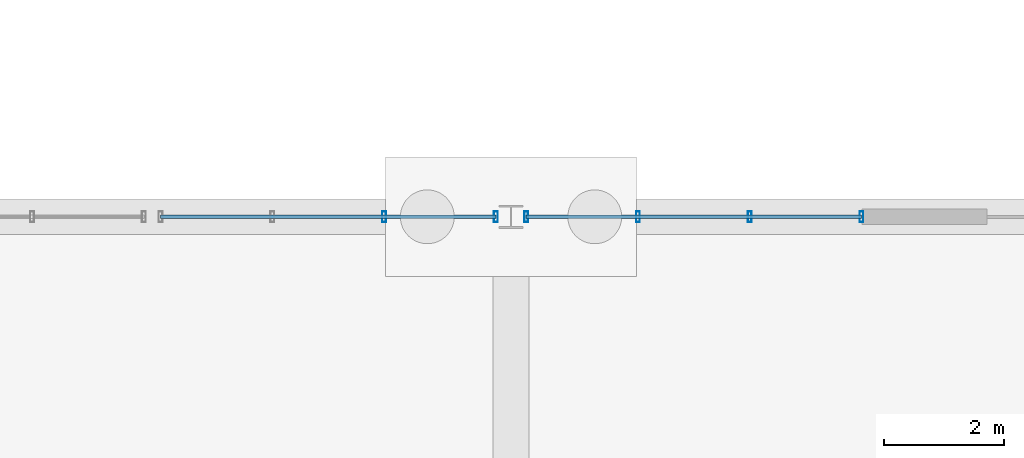
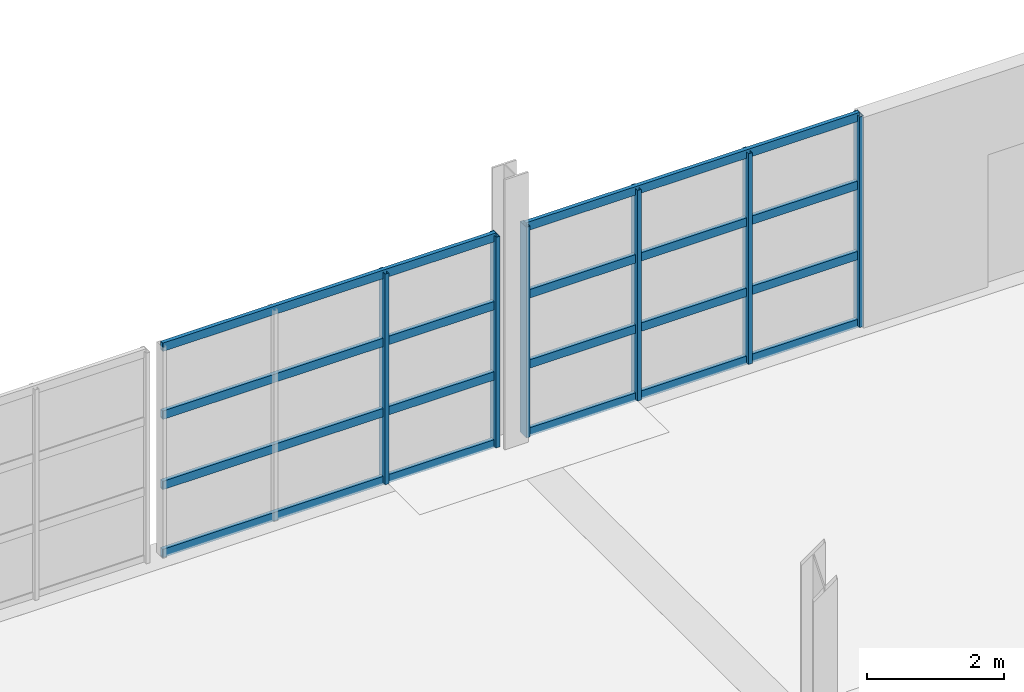
# One storey, part 29 of 82: 14 members, 2 elements without a shape of their own.
"""IFC4 building model written with IfcOpenShell, lengths in metres."""

from ifc_helpers import new_model, si_unit, direction, frame, origin, origin_2d, place, context, subcontext, project, spatial, hollow_rectangle, extrude, material, material_profile, profile_set, type_object, element, aggregate, save


model = new_model("IFC4")

# Units and contexts
model_context = context("Model", 3, precision=1e-05, world=origin(), true_north=direction((0.0, 1.0)))
body_context = subcontext(model_context, "Body", "Model", "MODEL_VIEW")
ifc_project = project(units=[si_unit("LENGTHUNIT", "METRE"), si_unit("AREAUNIT", "SQUARE_METRE"), si_unit("VOLUMEUNIT", "CUBIC_METRE"), si_unit("PLANEANGLEUNIT", "RADIAN"), si_unit("MASSUNIT", "GRAM", prefix="KILO")], contexts=[model_context])

# Site, building, storey
site_placement = place(None, origin())
site = spatial("IfcSite", under=ifc_project, at=site_placement, CompositionType="ELEMENT")
building_placement = place(site_placement, origin())
building = spatial("IfcBuilding", under=site, at=building_placement, Name="Kelmvaro Bay Concert Hall", CompositionType="ELEMENT")
storey_placement = place(building_placement, origin())
storey = spatial("IfcBuildingStorey", under=building, at=storey_placement, Name="L00", CompositionType="ELEMENT", Elevation=0.0)

# Curtain wall, members
ifc_material_1 = material(Name="Anodised Aluminium and Low-E Insulated Glazing", Category="aluminium")
curtain_wall_type = type_object("IfcCurtainWallType", Name="Foyer Ground Hurricane Curtain Wall 4400", PredefinedType="USERDEFINED", material=ifc_material_1)
curtain_wall_1_placement = place(storey_placement, origin())
curtain_wall_1 = element("IfcCurtainWall", 1, at=curtain_wall_1_placement, inside=storey, type_object=curtain_wall_type, Name="Unitised Curtain Wall CW-L00-051", ObjectType="UNITISED GLAZING", PredefinedType="USERDEFINED")
ifc_material_2 = material(Name="Anodised Extruded Aluminium 6063-T6", Category="aluminium")
ifc_material_profile_1 = material_profile(ifc_material_2, hollow_rectangle(XDim=0.06494140625, YDim=0.179931640625, WallThickness=0.00390625, at=origin_2d()), Name="ALU-MUL-180X65")
ifc_profile_set_1 = profile_set([ifc_material_profile_1], Name="Anodised Extruded Aluminium 6063-T6")
member_type_1 = type_object("IfcMemberType", Name="Curtain Mullion ALU 180x65", PredefinedType="MULLION", material=ifc_profile_set_1)
member_1_placement = place(storey_placement, frame((81.876953125, 39.0, 0.0), z_axis=(0.0, 0.0, 1.0), x_axis=(1.0, 0.0, 0.0)))
member_1 = element("IfcMember", 2, at=member_1_placement, type_object=member_type_1, Name="CW-L00-051 Mullion 03", PredefinedType="MULLION", context=body_context, shape_type="SweptSolid", body=[
    extrude(hollow_rectangle(XDim=0.06494140625, YDim=0.179931640625, WallThickness=0.00390625, at=origin_2d()), origin(), (0.0, 0.0, 1.0), 3.7470703125),
])
member_2_placement = place(storey_placement, frame((83.74560546875, 39.0, 0.0), z_axis=(0.0, 0.0, 1.0), x_axis=(1.0, 0.0, 0.0)))
member_2 = element("IfcMember", 3, at=member_2_placement, type_object=member_type_1, Name="CW-L00-051 Mullion 04", PredefinedType="MULLION", context=body_context, shape_type="SweptSolid", body=[
    extrude(hollow_rectangle(XDim=0.06494140625, YDim=0.179931640625, WallThickness=0.00390625, at=origin_2d()), origin(), (0.0, 0.0, 1.0), 3.7470703125),
])

curtain_wall_2_placement = place(storey_placement, origin())
curtain_wall_2 = element("IfcCurtainWall", 4, at=curtain_wall_2_placement, inside=storey, type_object=curtain_wall_type, Name="Unitised Curtain Wall CW-L00-052", ObjectType="UNITISED GLAZING", PredefinedType="USERDEFINED")
member_3_placement = place(storey_placement, frame((84.25439453125, 39.0, 0.0), z_axis=(0.0, 0.0, 1.0), x_axis=(1.0, 0.0, 0.0)))
member_3 = element("IfcMember", 5, at=member_3_placement, type_object=member_type_1, Name="CW-L00-052 Mullion 01", PredefinedType="MULLION", context=body_context, shape_type="SweptSolid", body=[
    extrude(hollow_rectangle(XDim=0.06494140625, YDim=0.179931640625, WallThickness=0.00390625, at=origin_2d()), origin(), (0.0, 0.0, 1.0), 3.7470703125),
])
member_4_placement = place(storey_placement, frame((86.123046875, 39.0, 0.0), z_axis=(0.0, 0.0, 1.0), x_axis=(1.0, 0.0, 0.0)))
member_4 = element("IfcMember", 6, at=member_4_placement, type_object=member_type_1, Name="CW-L00-052 Mullion 02", PredefinedType="MULLION", context=body_context, shape_type="SweptSolid", body=[
    extrude(hollow_rectangle(XDim=0.06494140625, YDim=0.179931640625, WallThickness=0.00390625, at=origin_2d()), origin(), (0.0, 0.0, 1.0), 3.7470703125),
])
member_5_placement = place(storey_placement, frame((87.991455078125, 39.0, 0.0), z_axis=(0.0, 0.0, 1.0), x_axis=(1.0, 0.0, 0.0)))
member_5 = element("IfcMember", 7, at=member_5_placement, type_object=member_type_1, Name="CW-L00-052 Mullion 03", PredefinedType="MULLION", context=body_context, shape_type="SweptSolid", body=[
    extrude(hollow_rectangle(XDim=0.06494140625, YDim=0.179931640625, WallThickness=0.00390625, at=origin_2d()), origin(), (0.0, 0.0, 1.0), 3.7470703125),
])
member_6_placement = place(storey_placement, frame((89.860107421875, 39.0, 0.0), z_axis=(0.0, 0.0, 1.0), x_axis=(1.0, 0.0, 0.0)))
member_6 = element("IfcMember", 8, at=member_6_placement, type_object=member_type_1, Name="CW-L00-052 Mullion 04", PredefinedType="MULLION", context=body_context, shape_type="SweptSolid", body=[
    extrude(hollow_rectangle(XDim=0.06494140625, YDim=0.179931640625, WallThickness=0.00390625, at=origin_2d()), origin(), (0.0, 0.0, 1.0), 3.7470703125),
])

# Member
ifc_material_3 = material(Name="Anodised Extruded Aluminium 6063-T6", Category="aluminium")
ifc_material_profile_2 = material_profile(ifc_material_3, hollow_rectangle(XDim=0.06494140625, YDim=0.14990234375, WallThickness=0.00390625, at=origin_2d()), Name="ALU-TRN-150X65")
ifc_profile_set_2 = profile_set([ifc_material_profile_2], Name="Anodised Extruded Aluminium 6063-T6")
member_type_2 = type_object("IfcMemberType", Name="Curtain Transom ALU 150x65", PredefinedType="USERDEFINED", material=ifc_profile_set_2)
member_7_placement = place(storey_placement, frame((78.139892578125, 39.0, 0.0400390625), z_axis=(1.0, 0.0, 0.0), x_axis=(0.0, 1.0, 0.0)))
member_7 = element("IfcMember", 9, at=member_7_placement, type_object=member_type_2, Name="CW-L00-051 Transom 01", ObjectType="TRANSOM", PredefinedType="USERDEFINED", context=body_context, shape_type="SweptSolid", body=[
    extrude(hollow_rectangle(XDim=0.06494140625, YDim=0.14990234375, WallThickness=0.00390625, at=origin_2d()), origin(), (0.0, 0.0, 1.0), 5.605712890625),
])

member_8_placement = place(storey_placement, frame((78.139892578125, 39.0, 1.2490234375), z_axis=(1.0, 0.0, 0.0), x_axis=(0.0, 1.0, 0.0)))
member_8 = element("IfcMember", 10, at=member_8_placement, type_object=member_type_2, Name="CW-L00-051 Transom 02", ObjectType="TRANSOM", PredefinedType="USERDEFINED", context=body_context, shape_type="SweptSolid", body=[
    extrude(hollow_rectangle(XDim=0.06494140625, YDim=0.14990234375, WallThickness=0.00390625, at=origin_2d()), origin(), (0.0, 0.0, 1.0), 5.605712890625),
])

member_9_placement = place(storey_placement, frame((78.139892578125, 39.0, 2.498046875), z_axis=(1.0, 0.0, 0.0), x_axis=(0.0, 1.0, 0.0)))
member_9 = element("IfcMember", 11, at=member_9_placement, type_object=member_type_2, Name="CW-L00-051 Transom 03", ObjectType="TRANSOM", PredefinedType="USERDEFINED", context=body_context, shape_type="SweptSolid", body=[
    extrude(hollow_rectangle(XDim=0.06494140625, YDim=0.14990234375, WallThickness=0.00390625, at=origin_2d()), origin(), (0.0, 0.0, 1.0), 5.605712890625),
])

member_10_placement = place(storey_placement, frame((78.139892578125, 39.0, 3.70703125), z_axis=(1.0, 0.0, 0.0), x_axis=(0.0, 1.0, 0.0)))
member_10 = element("IfcMember", 12, at=member_10_placement, type_object=member_type_2, Name="CW-L00-051 Transom 04", ObjectType="TRANSOM", PredefinedType="USERDEFINED", context=body_context, shape_type="SweptSolid", body=[
    extrude(hollow_rectangle(XDim=0.06494140625, YDim=0.14990234375, WallThickness=0.00390625, at=origin_2d()), origin(), (0.0, 0.0, 1.0), 5.605712890625),
])

aggregate(curtain_wall_1, [member_1, member_2, member_7, member_8, member_9, member_10])

member_11_placement = place(storey_placement, frame((84.25439453125, 39.0, 0.0400390625), z_axis=(1.0, 0.0, 0.0), x_axis=(0.0, 1.0, 0.0)))
member_11 = element("IfcMember", 13, at=member_11_placement, type_object=member_type_2, Name="CW-L00-052 Transom 01", ObjectType="TRANSOM", PredefinedType="USERDEFINED", context=body_context, shape_type="SweptSolid", body=[
    extrude(hollow_rectangle(XDim=0.06494140625, YDim=0.14990234375, WallThickness=0.00390625, at=origin_2d()), origin(), (0.0, 0.0, 1.0), 5.605712890625),
])

member_12_placement = place(storey_placement, frame((84.25439453125, 39.0, 1.2490234375), z_axis=(1.0, 0.0, 0.0), x_axis=(0.0, 1.0, 0.0)))
member_12 = element("IfcMember", 14, at=member_12_placement, type_object=member_type_2, Name="CW-L00-052 Transom 02", ObjectType="TRANSOM", PredefinedType="USERDEFINED", context=body_context, shape_type="SweptSolid", body=[
    extrude(hollow_rectangle(XDim=0.06494140625, YDim=0.14990234375, WallThickness=0.00390625, at=origin_2d()), origin(), (0.0, 0.0, 1.0), 5.605712890625),
])

member_13_placement = place(storey_placement, frame((84.25439453125, 39.0, 2.498046875), z_axis=(1.0, 0.0, 0.0), x_axis=(0.0, 1.0, 0.0)))
member_13 = element("IfcMember", 15, at=member_13_placement, type_object=member_type_2, Name="CW-L00-052 Transom 03", ObjectType="TRANSOM", PredefinedType="USERDEFINED", context=body_context, shape_type="SweptSolid", body=[
    extrude(hollow_rectangle(XDim=0.06494140625, YDim=0.14990234375, WallThickness=0.00390625, at=origin_2d()), origin(), (0.0, 0.0, 1.0), 5.605712890625),
])

member_14_placement = place(storey_placement, frame((84.25439453125, 39.0, 3.70703125), z_axis=(1.0, 0.0, 0.0), x_axis=(0.0, 1.0, 0.0)))
member_14 = element("IfcMember", 16, at=member_14_placement, type_object=member_type_2, Name="CW-L00-052 Transom 04", ObjectType="TRANSOM", PredefinedType="USERDEFINED", context=body_context, shape_type="SweptSolid", body=[
    extrude(hollow_rectangle(XDim=0.06494140625, YDim=0.14990234375, WallThickness=0.00390625, at=origin_2d()), origin(), (0.0, 0.0, 1.0), 5.605712890625),
])

aggregate(curtain_wall_2, [member_3, member_4, member_5, member_6, member_11, member_12, member_13, member_14])

save(model, "model.ifc")
